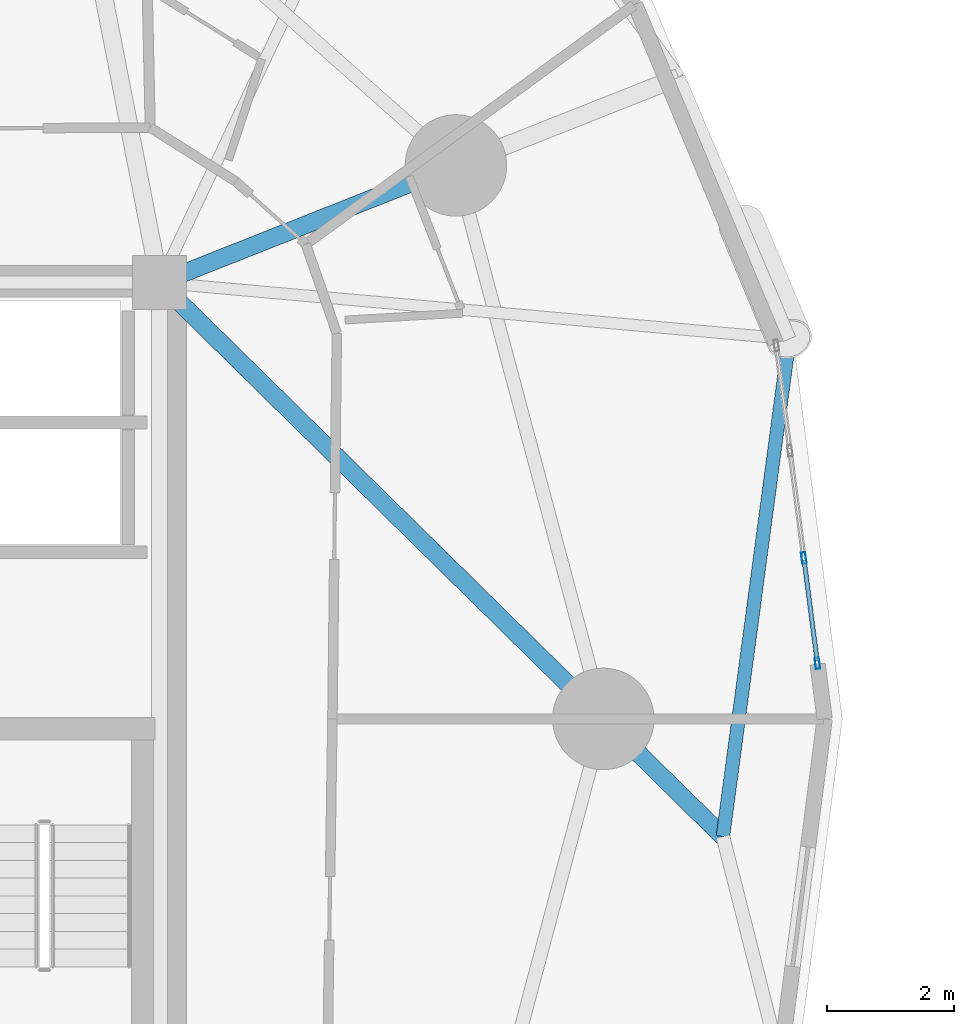
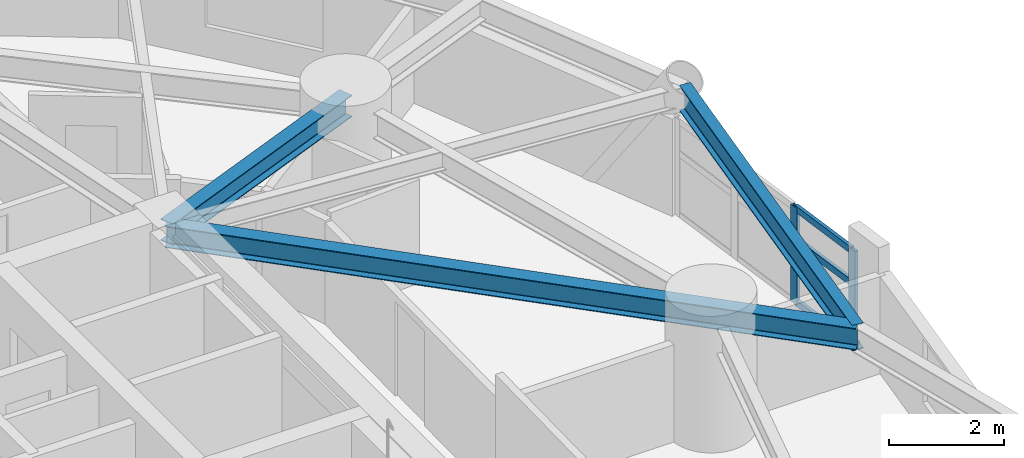
# One storey, part 2 of 18: 5 members, 3 beams, 1 element without a shape of its own.
"""IFC4 building model written with IfcOpenShell, lengths in metres."""

from ifc_helpers import new_model, si_unit, direction, frame, origin, origin_2d, place, context, subcontext, project, spatial, hollow_rectangle, i_section, extrude, material, layer, layer_set, material_profile, profile_set, type_object, element, aggregate, save


model = new_model("IFC4")

# Units and contexts
model_context = context("Model", 3, precision=1e-05, world=origin(), true_north=direction((0.0, 1.0)))
body_context = subcontext(model_context, "Body", "Model", "MODEL_VIEW")
ifc_project = project(units=[si_unit("LENGTHUNIT", "METRE"), si_unit("AREAUNIT", "SQUARE_METRE"), si_unit("VOLUMEUNIT", "CUBIC_METRE"), si_unit("PLANEANGLEUNIT", "RADIAN"), si_unit("MASSUNIT", "GRAM", prefix="KILO")], contexts=[model_context])

# Site, building, storey
site_placement = place(None, origin())
site = spatial("IfcSite", under=ifc_project, at=site_placement, CompositionType="ELEMENT")
building_placement = place(site_placement, origin())
building = spatial("IfcBuilding", under=site, at=building_placement, Name="Cununo Teusaquillo Station Towers", CompositionType="ELEMENT")
storey_placement = place(building_placement, frame((0.0, 0.0, 54.010009765625)))
storey = spatial("IfcBuildingStorey", under=building, at=storey_placement, Name="L16", CompositionType="ELEMENT", Elevation=54.010009765625)

# Beams
ifc_material_1 = material(Name="Steel ASTM A572 Grade 50", Category="steel")
ifc_material_profile_1 = material_profile(ifc_material_1, i_section(OverallWidth=0.280029296875, OverallDepth=0.462890625, WebThickness=0.0107421875, FlangeThickness=0.017333984375, FilletRadius=0.013916015625, at=origin_2d()), Name="W18X76")
ifc_profile_set_1 = profile_set([ifc_material_profile_1], Name="Steel ASTM A572 Grade 50")
beam_type_1 = type_object("IfcBeamType", Name="BM-RAD-G1", PredefinedType="BEAM", material=ifc_profile_set_1)
beam_1_placement = place(storey_placement, frame((21.675048828125, 31.3798828125, 2.41845703125), z_axis=(0.713048497084, -0.701114713015, 0.0), x_axis=(0.701114713015, 0.713048497084, 0.0)))
element("IfcBeam", 1, at=beam_1_placement, inside=storey, type_object=beam_type_1, Name="L16 Tower A Continuous Overhanging Radial Girder 01", PredefinedType="BEAM", context=body_context, shape_type="SweptSolid", body=[
    extrude(i_section(OverallWidth=0.280029296875, OverallDepth=0.462890625, WebThickness=0.0107421875, FlangeThickness=0.017333984375, FilletRadius=0.013916015625, at=origin_2d()), origin(), (0.0, 0.0, 1.0), 12.458984375),
])
beam_2_placement = place(storey_placement, frame((21.675048828125, 31.3798828125, 2.41845703125), z_axis=(0.929864104313, 0.367903176814, 0.0), x_axis=(-0.367903176814, 0.929864104313, 0.0)))
element("IfcBeam", 2, at=beam_2_placement, inside=storey, type_object=beam_type_1, Name="L16 Tower A Radial Girder 02A", PredefinedType="BEAM", context=body_context, shape_type="SweptSolid", body=[
    extrude(i_section(OverallWidth=0.280029296875, OverallDepth=0.462890625, WebThickness=0.0107421875, FlangeThickness=0.017333984375, FilletRadius=0.013916015625, at=origin_2d()), origin(), (0.0, 0.0, 1.0), 5.02490234375),
])
ifc_material_2 = material(Name="Steel ASTM A572 Grade 50", Category="steel")
ifc_material_profile_2 = material_profile(ifc_material_2, i_section(OverallWidth=0.214111328125, OverallDepth=0.549072265625, WebThickness=0.0146484375, FlangeThickness=0.023681640625, FilletRadius=0.014892578125, at=origin_2d()), Name="W21X93")
ifc_profile_set_2 = profile_set([ifc_material_profile_2], Name="Steel ASTM A572 Grade 50")
beam_type_2 = type_object("IfcBeamType", Name="BM-RING-Z1", PredefinedType="SPANDREL", material=ifc_profile_set_2)
beam_3_placement = place(storey_placement, frame((30.558837890625, 22.644775390625, 2.37548828125), z_axis=(0.132240482179, 0.991217662712, 0.0), x_axis=(-0.991217662712, 0.132240482179, 0.0)))
element("IfcBeam", 3, at=beam_3_placement, inside=storey, type_object=beam_type_2, Name="L16 Tower A Spandrel Ring Beam 01", PredefinedType="SPANDREL", context=body_context, shape_type="SweptSolid", body=[
    extrude(i_section(OverallWidth=0.214111328125, OverallDepth=0.549072265625, WebThickness=0.0146484375, FlangeThickness=0.023681640625, FilletRadius=0.014892578125, at=origin_2d()), origin(), (0.0, 0.0, 1.0), 7.91650390625),
])

# Curtain wall, members
ifc_material_3 = material(Name="Operable acoustic tinted low-E double glazing", Category="glass")
ifc_layer = layer(ifc_material_3, 0.179931640625)
ifc_layer_set = layer_set([ifc_layer], Name="Operable acoustic tinted low-E double glazing")
curtain_wall_type = type_object("IfcCurtainWallType", Name="CW-SYS-03", PredefinedType="USERDEFINED", material=ifc_layer_set)
curtain_wall_placement = place(storey_placement, origin())
curtain_wall = element("IfcCurtainWall", 4, at=curtain_wall_placement, inside=storey, type_object=curtain_wall_type, Name="L16 Tower A Facade Curtain Wall C00", ObjectType="OPERABLE GLAZING", PredefinedType="USERDEFINED")
ifc_material_4 = material(Name="Anodised dark bronze aluminium EN AW-6063-T6", Category="aluminium")
ifc_material_profile_3 = material_profile(ifc_material_4, hollow_rectangle(XDim=0.070068359375, YDim=0.179931640625, WallThickness=0.00390625, at=origin_2d()), Name="CW-MULL-70x180")
ifc_profile_set_3 = profile_set([ifc_material_profile_3], Name="Anodised dark bronze aluminium EN AW-6063-T6")
member_type_1 = type_object("IfcMemberType", Name="CWM-180", PredefinedType="MULLION", material=ifc_profile_set_3)
member_1_placement = place(storey_placement, frame((31.834716796875, 27.03662109375, 0.0), z_axis=(0.0, 0.0, 1.0), x_axis=(0.99173073067, 0.128336112783, 0.0)))
member_1 = element("IfcMember", 5, at=member_1_placement, type_object=member_type_1, Name="CW-03 mullion 3", PredefinedType="MULLION", context=body_context, shape_type="SweptSolid", body=[
    extrude(hollow_rectangle(XDim=0.070068359375, YDim=0.179931640625, WallThickness=0.00390625, at=origin_2d()), origin(), (0.0, 0.0, 1.0), 2.072998046875),
])
member_2_placement = place(storey_placement, frame((32.04931640625, 25.377685546875, 0.0), z_axis=(0.0, 0.0, 1.0), x_axis=(0.99173073067, 0.128336112783, 0.0)))
member_2 = element("IfcMember", 6, at=member_2_placement, type_object=member_type_1, Name="CW-03 mullion 4", PredefinedType="MULLION", context=body_context, shape_type="SweptSolid", body=[
    extrude(hollow_rectangle(XDim=0.070068359375, YDim=0.179931640625, WallThickness=0.00390625, at=origin_2d()), origin(), (0.0, 0.0, 1.0), 2.072998046875),
])
ifc_material_5 = material(Name="Anodised dark bronze aluminium EN AW-6063-T6", Category="aluminium")
ifc_material_profile_4 = material_profile(ifc_material_5, hollow_rectangle(XDim=0.070068359375, YDim=0.139892578125, WallThickness=0.00390625, at=origin_2d()), Name="CW-TRAN-70x140")
ifc_profile_set_4 = profile_set([ifc_material_profile_4], Name="Anodised dark bronze aluminium EN AW-6063-T6")
member_type_2 = type_object("IfcMemberType", Name="CWT-140", PredefinedType="USERDEFINED", material=ifc_profile_set_4)
member_3_placement = place(storey_placement, frame((31.839111328125, 27.001953125, 0.034912109375), z_axis=(0.128401455372, -0.991722272745, 0.0), x_axis=(0.991722272745, 0.128401455372, 0.0)))
member_3 = element("IfcMember", 7, at=member_3_placement, type_object=member_type_2, Name="CW-03 transom 3.1", ObjectType="TRANSOM", PredefinedType="USERDEFINED", context=body_context, shape_type="SweptSolid", body=[
    extrude(hollow_rectangle(XDim=0.070068359375, YDim=0.139892578125, WallThickness=0.00390625, at=origin_2d()), origin(), (0.0, 0.0, 1.0), 1.602783203125),
])
member_4_placement = place(storey_placement, frame((31.839111328125, 27.001953125, 1.346923828125), z_axis=(0.128401455372, -0.991722272745, 0.0), x_axis=(0.991722272745, 0.128401455372, 0.0)))
member_4 = element("IfcMember", 8, at=member_4_placement, type_object=member_type_2, Name="CW-03 transom 3.2", ObjectType="TRANSOM", PredefinedType="USERDEFINED", context=body_context, shape_type="SweptSolid", body=[
    extrude(hollow_rectangle(XDim=0.070068359375, YDim=0.139892578125, WallThickness=0.00390625, at=origin_2d()), origin(), (0.0, 0.0, 1.0), 1.602783203125),
])
member_5_placement = place(storey_placement, frame((31.839111328125, 27.001953125, 2.0380859375), z_axis=(0.128401455372, -0.991722272745, 0.0), x_axis=(0.991722272745, 0.128401455372, 0.0)))
member_5 = element("IfcMember", 9, at=member_5_placement, type_object=member_type_2, Name="CW-03 transom 3.3", ObjectType="TRANSOM", PredefinedType="USERDEFINED", context=body_context, shape_type="SweptSolid", body=[
    extrude(hollow_rectangle(XDim=0.070068359375, YDim=0.139892578125, WallThickness=0.00390625, at=origin_2d()), origin(), (0.0, 0.0, 1.0), 1.602783203125),
])
aggregate(curtain_wall, [member_1, member_2, member_3, member_4, member_5])

save(model, "model.ifc")
